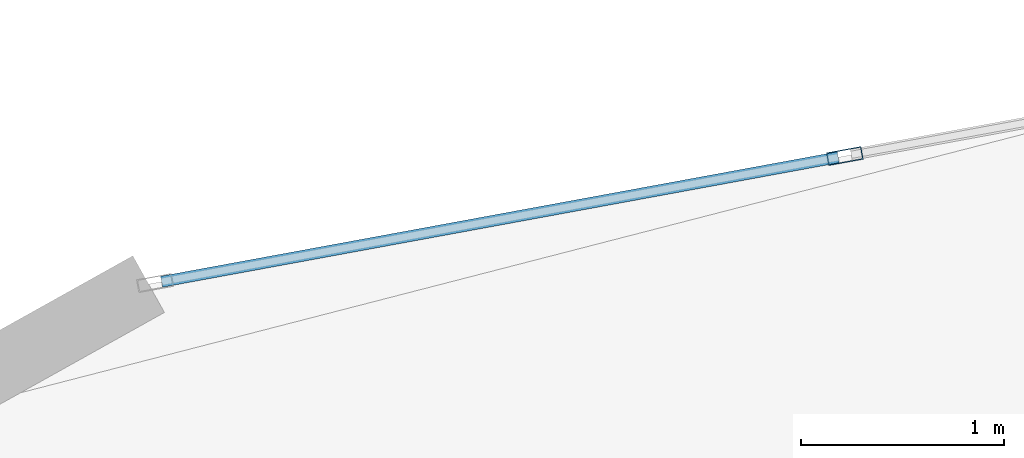
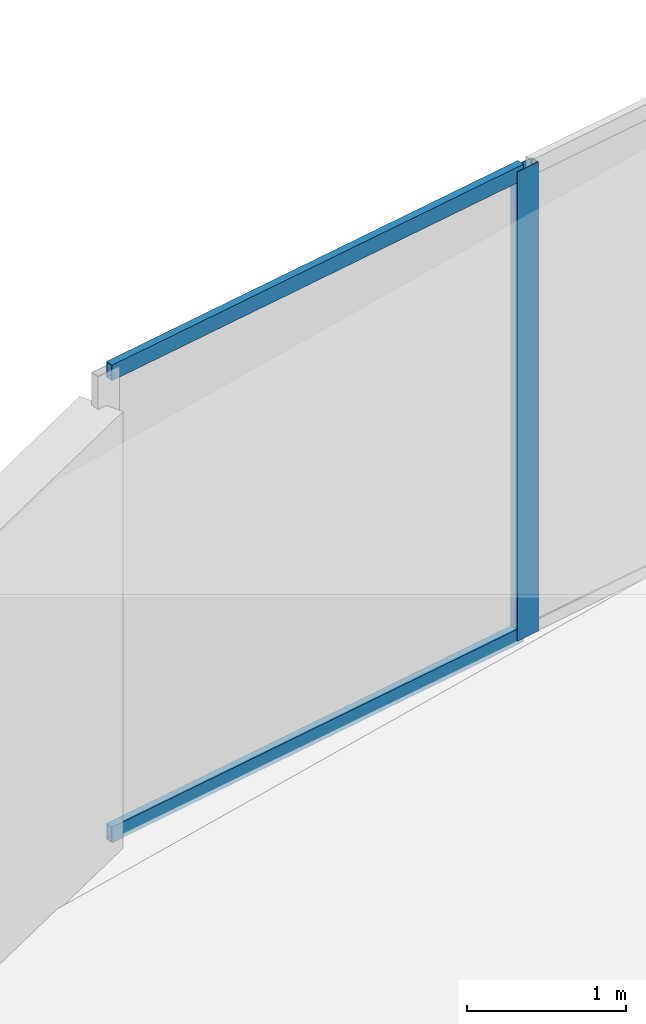
# One storey, part 16 of 25: 3 members, 1 element without a shape of its own.
"""IFC4 building model written with IfcOpenShell, lengths in metres."""

from ifc_helpers import new_model, si_unit, direction, frame, origin, origin_2d, place, context, subcontext, project, spatial, hollow_rectangle, extrude, source, transform, mapped, material, layer, layer_set, material_profile, profile_set, type_object, element, aggregate, save


model = new_model("IFC4")

# Units and contexts
model_context = context("Model", 3, precision=1e-05, world=origin(), true_north=direction((0.0, 1.0)))
body_context = subcontext(model_context, "Body", "Model", "MODEL_VIEW")
ifc_project = project(units=[si_unit("LENGTHUNIT", "METRE"), si_unit("AREAUNIT", "SQUARE_METRE"), si_unit("VOLUMEUNIT", "CUBIC_METRE"), si_unit("PLANEANGLEUNIT", "RADIAN"), si_unit("MASSUNIT", "GRAM", prefix="KILO")], contexts=[model_context])

# Site, building, storey
site_placement = place(None, origin())
site = spatial("IfcSite", under=ifc_project, at=site_placement, CompositionType="ELEMENT")
building_placement = place(site_placement, origin())
building = spatial("IfcBuilding", under=site, at=building_placement, Name="Solvirekh Grand Hotel", CompositionType="ELEMENT")
storey_placement = place(building_placement, frame((0.0, 0.0, 106.199951171875)))
storey = spatial("IfcBuildingStorey", under=building, at=storey_placement, Name="L26", CompositionType="ELEMENT", Elevation=106.199951171875)

# Curtain wall, members
ifc_material = material(Name="Anodized Bronze Aluminium 6063-T6", Category="aluminium")
ifc_layer = layer(ifc_material, 0.175048828125)
ifc_layer_set = layer_set([ifc_layer], Name="Anodized Bronze Aluminium 6063-T6")
curtain_wall_type = type_object("IfcCurtainWallType", Name="CW_Sys3_MidZoneFlushBronzeCW", PredefinedType="NOTDEFINED", material=ifc_layer_set)
curtain_wall_placement = place(storey_placement, origin())
curtain_wall = element("IfcCurtainWall", 1, at=curtain_wall_placement, inside=storey, type_object=curtain_wall_type, Name="L26 unitised bronze-glass curtain wall CW-L26-C08", PredefinedType="NOTDEFINED")
ifc_material_profile_1 = material_profile(ifc_material, hollow_rectangle(XDim=0.054931640625, YDim=0.1201171875, WallThickness=0.00390625, at=origin_2d()), Name="ALU RHS 120X55X4")
ifc_profile_set_1 = profile_set([ifc_material_profile_1], Name="Anodized Bronze Aluminium 6063-T6")
member_type_1 = type_object("IfcMemberType", Name="CWTransom_Sys3", PredefinedType="USERDEFINED", material=ifc_profile_set_1)
shared_shape_1 = source(origin(), body_context, "Body", "SweptSolid", [
    extrude(hollow_rectangle(XDim=0.054931640625, YDim=0.1201171875, WallThickness=0.00390625, at=origin_2d()), origin(), (0.0, 0.0, 1.0), 3.397216796875),
])
member_1_placement = place(storey_placement, frame((-6.679931640625, 20.634521484375, 0.027587890625), z_axis=(-0.983490568923, -0.180959390029, 0.0), x_axis=(0.180959390029, -0.983490568923, 0.0)))
member_1 = element("IfcMember", 2, at=member_1_placement, type_object=member_type_1, Name="U03 transom 2.1", ObjectType="TRANSOM", PredefinedType="USERDEFINED", context=body_context, shape_type="MappedRepresentation", body=[
    mapped(shared_shape_1, transform((0.0, 0.0, 0.0), x_axis=(1.0, 0.0, 0.0), y_axis=(0.0, 1.0, 0.0), z_axis=(0.0, 0.0, 1.0), scale=1.0)),
])
member_2_placement = place(storey_placement, frame((-6.679931640625, 20.634521484375, 3.572509765625), z_axis=(-0.983490568923, -0.180959390029, 0.0), x_axis=(0.180959390029, -0.983490568923, 0.0)))
member_2 = element("IfcMember", 3, at=member_2_placement, type_object=member_type_1, Name="U03 transom 2.2", ObjectType="TRANSOM", PredefinedType="USERDEFINED", context=body_context, shape_type="MappedRepresentation", body=[
    mapped(shared_shape_1, transform((0.0, 0.0, 0.0), x_axis=(1.0, 0.0, 0.0), y_axis=(0.0, 1.0, 0.0), z_axis=(0.0, 0.0, 1.0), scale=1.0)),
])
ifc_material_profile_2 = material_profile(ifc_material, hollow_rectangle(XDim=0.06494140625, YDim=0.175048828125, WallThickness=0.0048828125, at=origin_2d()), Name="ALU RHS 175X65X5")
ifc_profile_set_2 = profile_set([ifc_material_profile_2], Name="Anodized Bronze Aluminium 6063-T6")
member_type_2 = type_object("IfcMemberType", Name="CWMullion_Sys3", PredefinedType="MULLION", material=ifc_profile_set_2)
shared_shape_2 = source(origin(), body_context, "Body", "SweptSolid", [
    extrude(hollow_rectangle(XDim=0.06494140625, YDim=0.175048828125, WallThickness=0.0048828125, at=origin_2d()), origin(), (0.0, 0.0, 1.0), 3.60009765625),
])
member_3_placement = place(storey_placement, frame((-6.64794921875, 20.640380859375, 0.0), z_axis=(0.0, 0.0, 1.0), x_axis=(0.180987633873, -0.983485371719, 0.0)))
member_3 = element("IfcMember", 4, at=member_3_placement, type_object=member_type_2, Name="U03 mullion 2", PredefinedType="MULLION", context=body_context, shape_type="MappedRepresentation", body=[
    mapped(shared_shape_2, transform((0.0, 0.0, 0.0), x_axis=(1.0, 0.0, 0.0), y_axis=(0.0, 1.0, 0.0), z_axis=(0.0, 0.0, 1.0), scale=1.0)),
])
aggregate(curtain_wall, [member_3, member_1, member_2])

save(model, "model.ifc")
